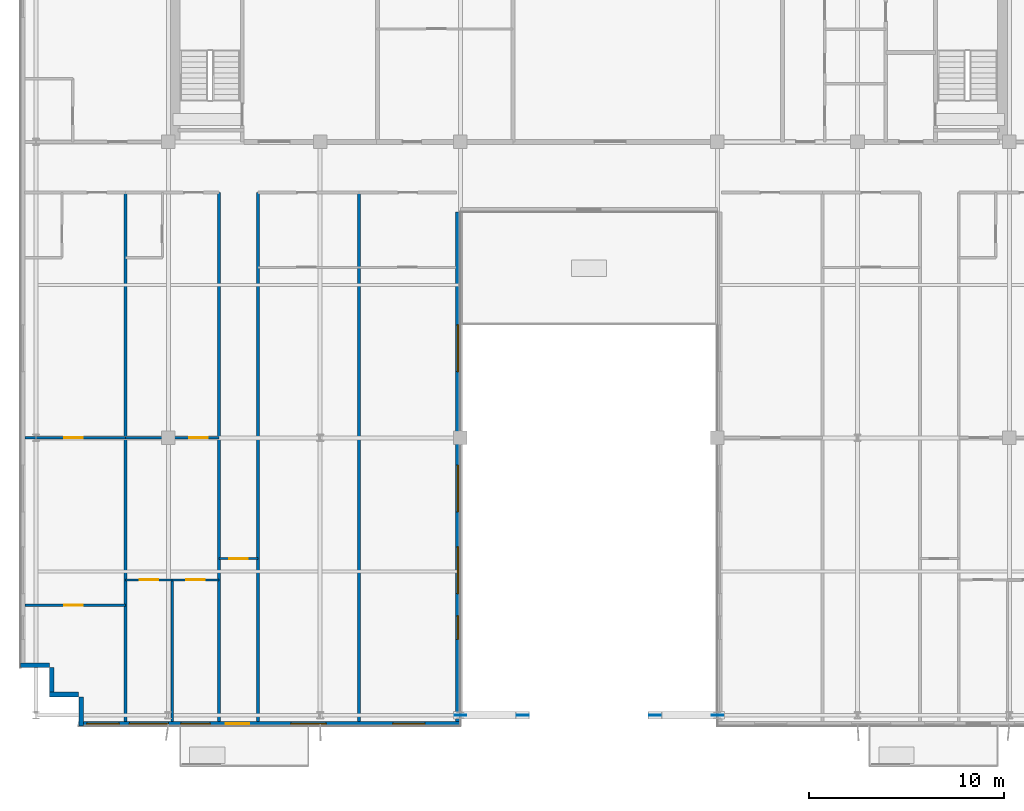
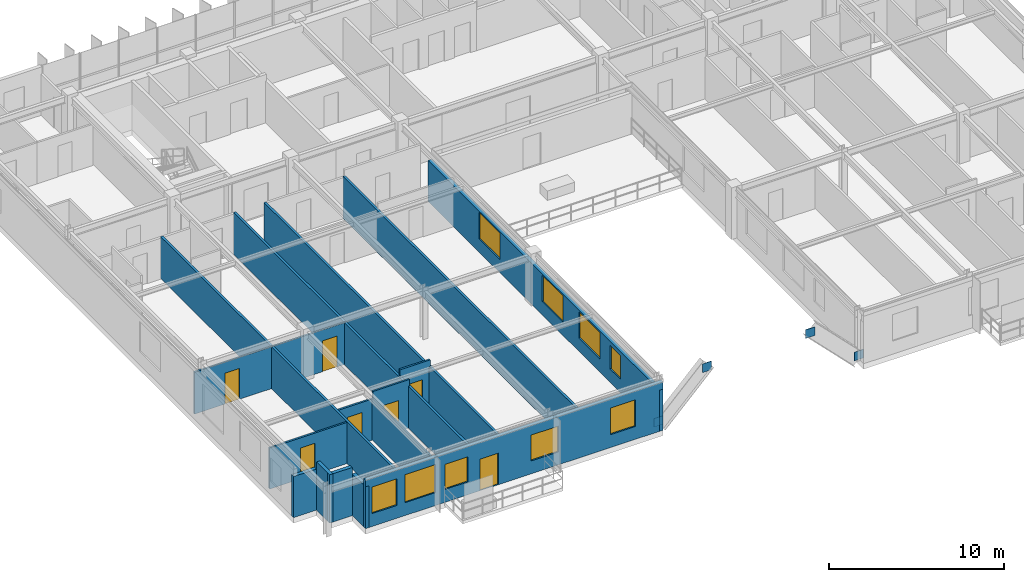
# One storey, part 16 of 23: 17 walls, 9 windows, 7 doors, 4 plates, 16 openings.
"""IFC4 building model written with IfcOpenShell, lengths in metres."""

from ifc_helpers import new_model, si_unit, direction, frame, frame_2d, origin, origin_2d, place, context, subcontext, project, spatial, rectangle, extrude, source, transform, mapped, material, layer, layer_set, type_object, element, fill, save


model = new_model("IFC4")

# Units and contexts
model_context = context("Model", 3, precision=1e-05, world=origin(), true_north=direction((0.0, 1.0)))
body_context = subcontext(model_context, "Body", "Model", "MODEL_VIEW")
ifc_project = project(units=[si_unit("LENGTHUNIT", "METRE"), si_unit("AREAUNIT", "SQUARE_METRE"), si_unit("VOLUMEUNIT", "CUBIC_METRE"), si_unit("PLANEANGLEUNIT", "RADIAN"), si_unit("MASSUNIT", "GRAM", prefix="KILO")], contexts=[model_context])

# Site, building, storey
site_placement = place(None, origin())
site = spatial("IfcSite", under=ifc_project, at=site_placement, CompositionType="ELEMENT")
building_placement = place(site_placement, origin())
building = spatial("IfcBuilding", under=site, at=building_placement, Name="Trelvane Seafront Commons", CompositionType="ELEMENT")
storey_placement = place(building_placement, frame((0.0, 0.0, 190.5)))
storey = spatial("IfcBuildingStorey", under=building, at=storey_placement, Name="L49", CompositionType="ELEMENT", Elevation=190.5)

# Plates
ifc_material_1 = material(Name="Steel SM355 (S355)", Category="steel")
ifc_layer_1 = layer(ifc_material_1, 0.031982421875, Name="STR-PLT-GUS2")
ifc_layer_set_1 = layer_set([ifc_layer_1], Name="Steel SM355 (S355)")
plate_type = type_object("IfcPlateType", Name="STR-PLT-GUS2", PredefinedType="SHEET", material=ifc_layer_set_1)
shared_shape_1 = source(origin(), body_context, "Body", "SweptSolid", [
    extrude(rectangle(XDim=0.60009765625, YDim=0.031982421875, at=origin_2d()), origin(), (0.0, 0.0, 1.0), 0.60009765625),
])
for number, where, z_axis, x_axis, name in (
    (1, (30.60009765625, 3.949951171875, -0.02001953125), (0.0, 0.0, 1.0), (1.0, 0.0, 0.0), "L49 Brace Connection Gusset Plate GP-103"),
    (2, (33.800048828125, 3.949951171875, 2.659912109375), (0.0, 0.0, 1.0), (1.0, 0.0, 0.0), "L49 Brace Connection Gusset Plate GP-104"),
    (3, (43.800048828125, 3.949951171875, -0.02001953125), (0.0, 0.0, 1.0), (1.0, 0.0, 0.0), "L49 Brace Connection Gusset Plate GP-105"),
    (4, (40.60009765625, 3.949951171875, 2.659912109375), (0.0, 0.0, 1.0), (1.0, 0.0, 0.0), "L49 Brace Connection Gusset Plate GP-106"),
):
    element("IfcPlate", number, at=place(storey_placement, frame(where, z_axis=z_axis, x_axis=x_axis)), inside=storey, type_object=plate_type, Name=name, PredefinedType="SHEET", context=body_context, shape_type="MappedRepresentation", body=[
        mapped(shared_shape_1, transform((0.0, 0.0, 0.0), x_axis=(1.0, 0.0, 0.0), y_axis=(0.0, 1.0, 0.0), z_axis=(0.0, 0.0, 1.0), scale=1.0)),
    ])

# Walls
ifc_material_2 = material(Name="Precast concrete C40/50", Category="concrete")
ifc_layer_2 = layer(ifc_material_2, 0.239990234375, Name="ARCH-WALL-EXT240")
ifc_layer_set_2 = layer_set([ifc_layer_2], Name="Precast concrete C40/50")
wall_type_1 = type_object("IfcWallType", Name="ARCH-WALL-EXT240", PredefinedType="SOLIDWALL", material=ifc_layer_set_2)
for number, where, z_axis, x_axis, name in (
    (5, (11.0, 5.02001953125, 0.0), (0.0, 0.0, 1.0), (-1.0, 0.0, 0.0), "EW-L49-00959"),
    (6, (9.6201171875, 4.89990234375, 0.0), (0.0, 0.0, 1.0), (0.0, 1.0, 0.0), "EW-L49-00960"),
):
    element("IfcWall", number, at=place(storey_placement, frame(where, z_axis=z_axis, x_axis=x_axis)), inside=storey, type_object=wall_type_1, Name=name, PredefinedType="SOLIDWALL", context=body_context, shape_type="SweptSolid", body=[
        extrude(rectangle(XDim=1.5, YDim=0.239990234375, at=frame_2d((0.75, 0.0))), origin(), (0.0, 0.0, 1.0), 3.360107421875),
    ])
wall_1_placement = place(storey_placement, frame((9.5, 6.52001953125, 0.0), z_axis=(0.0, 0.0, 1.0), x_axis=(-1.0, 0.0, 0.0)))
element("IfcWall", 7, at=wall_1_placement, inside=storey, type_object=wall_type_1, Name="EW-L49-00961", PredefinedType="SOLIDWALL", context=body_context, shape_type="SweptSolid", body=[
    extrude(rectangle(XDim=1.5, YDim=0.239990234375, at=frame_2d((0.75, 0.0))), origin(), (0.0, 0.0, 1.0), 2.860107421875),
])

# Wall, openings, windows
wall_2_placement = place(storey_placement, frame((30.47998046875, 29.800048828125, 0.0), z_axis=(0.0, 0.0, 1.0), x_axis=(0.0, -1.0, 0.0)))
wall_2 = element("IfcWall", 8, at=wall_2_placement, inside=storey, type_object=wall_type_1, Name="EW-L49-00979", PredefinedType="SOLIDWALL", context=body_context, shape_type="SweptSolid", body=[
    extrude(rectangle(XDim=26.400146484375, YDim=0.239990234375, at=frame_2d((13.2001953125, 0.0))), origin(), (0.0, 0.0, 1.0), 2.860107421875),
])
opening_1_placement = place(wall_2_placement, frame((20.75, 0.0, 0.919921875)))
opening_1 = element("IfcOpeningElement", 9, at=opening_1_placement, cuts=wall_2, Name="Opening W05", PredefinedType="OPENING", context=body_context, shape_type="SweptSolid", body=[
    extrude(rectangle(XDim=1.199951171875, YDim=1.64990234375, at=frame_2d((0.60009765625, 0.824951171875))), frame((0.0, 0.1298828125, 0.0), z_axis=(0.0, -1.0, 0.0), x_axis=(1.0, 0.0, 0.0)), (0.0, 0.0, 1.0), 0.260009765625),
])
opening_2_placement = place(wall_2_placement, frame((17.199951171875, 0.0, 0.919921875)))
opening_2 = element("IfcOpeningElement", 10, at=opening_2_placement, cuts=wall_2, Name="Opening W08", PredefinedType="OPENING", context=body_context, shape_type="SweptSolid", body=[
    extrude(rectangle(XDim=2.39990234375, YDim=1.840087890625, at=frame_2d((1.199951171875, 0.919921875))), frame((0.0, 0.1298828125, 0.0), z_axis=(0.0, -1.0, 0.0), x_axis=(1.0, 0.0, 0.0)), (0.0, 0.0, 1.0), 0.260009765625),
])
opening_3_placement = place(wall_2_placement, frame((13.0, 0.0, 0.919921875)))
opening_3 = element("IfcOpeningElement", 11, at=opening_3_placement, cuts=wall_2, Name="Opening W08", PredefinedType="OPENING", context=body_context, shape_type="SweptSolid", body=[
    extrude(rectangle(XDim=2.39990234375, YDim=1.840087890625, at=frame_2d((1.199951171875, 0.919921875))), frame((0.0, 0.1298828125, 0.0), z_axis=(0.0, -1.0, 0.0), x_axis=(1.0, 0.0, 0.0)), (0.0, 0.0, 1.0), 0.260009765625),
])
opening_4_placement = place(wall_2_placement, frame((5.800048828125, 0.0, 0.919921875)))
opening_4 = element("IfcOpeningElement", 12, at=opening_4_placement, cuts=wall_2, Name="Opening W08", PredefinedType="OPENING", context=body_context, shape_type="SweptSolid", body=[
    extrude(rectangle(XDim=2.39990234375, YDim=1.840087890625, at=frame_2d((1.199951171875, 0.919921875))), frame((0.0, 0.1298828125, 0.0), z_axis=(0.0, -1.0, 0.0), x_axis=(1.0, 0.0, 0.0)), (0.0, 0.0, 1.0), 0.260009765625),
])
ifc_material_3 = material(Name="Low-E coastal double glazing", Category="glass")
window_type_1 = type_object("IfcWindowType", Name="ARCH-WIN-W05", PartitioningType="SINGLE_PANEL", PredefinedType="WINDOW", material=ifc_material_3)
shared_shape_2 = source(origin(), body_context, "Body", "SweptSolid", [
    extrude(rectangle(XDim=1.199951171875, YDim=1.64990234375, at=frame_2d((0.60009765625, 0.824951171875))), frame((0.0, 0.030029296875, 0.0), z_axis=(0.0, -1.0, 0.0), x_axis=(1.0, 0.0, 0.0)), (0.0, 0.0, 1.0), 0.06005859375),
])
window_1_placement = place(opening_1_placement, origin())
window_1 = element("IfcWindow", 13, at=window_1_placement, inside=storey, type_object=window_type_1, Name="WIN-L49-EW-01158", OverallHeight=1.64990234375, OverallWidth=1.199951171875, PartitioningType="SINGLE_PANEL", PredefinedType="WINDOW", context=body_context, shape_type="MappedRepresentation", body=[
    mapped(shared_shape_2, transform((0.0, 0.0, 0.0), x_axis=(1.0, 0.0, 0.0), y_axis=(0.0, 1.0, 0.0), z_axis=(0.0, 0.0, 1.0), scale=1.0)),
])
fill(opening_1, window_1)
window_type_2 = type_object("IfcWindowType", Name="ARCH-WIN-W08", PartitioningType="SINGLE_PANEL", PredefinedType="WINDOW", material=ifc_material_3)
shared_shape_3 = source(origin(), body_context, "Body", "SweptSolid", [
    extrude(rectangle(XDim=2.39990234375, YDim=1.840087890625, at=frame_2d((1.199951171875, 0.919921875))), frame((0.0, 0.030029296875, 0.0), z_axis=(0.0, -1.0, 0.0), x_axis=(1.0, 0.0, 0.0)), (0.0, 0.0, 1.0), 0.06005859375),
])
window_2_placement = place(opening_2_placement, origin())
window_2 = element("IfcWindow", 14, at=window_2_placement, inside=storey, type_object=window_type_2, Name="WIN-L49-EW-01159", OverallHeight=1.840087890625, OverallWidth=2.39990234375, PartitioningType="SINGLE_PANEL", PredefinedType="WINDOW", context=body_context, shape_type="MappedRepresentation", body=[
    mapped(shared_shape_3, transform((0.0, 0.0, 0.0), x_axis=(1.0, 0.0, 0.0), y_axis=(0.0, 1.0, 0.0), z_axis=(0.0, 0.0, 1.0), scale=1.0)),
])
fill(opening_2, window_2)
window_3_placement = place(opening_3_placement, origin())
window_3 = element("IfcWindow", 15, at=window_3_placement, inside=storey, type_object=window_type_2, Name="WIN-L49-EW-01160", OverallHeight=1.840087890625, OverallWidth=2.39990234375, PartitioningType="SINGLE_PANEL", PredefinedType="WINDOW", context=body_context, shape_type="MappedRepresentation", body=[
    mapped(shared_shape_3, transform((0.0, 0.0, 0.0), x_axis=(1.0, 0.0, 0.0), y_axis=(0.0, 1.0, 0.0), z_axis=(0.0, 0.0, 1.0), scale=1.0)),
])
fill(opening_3, window_3)
window_4_placement = place(opening_4_placement, origin())
window_4 = element("IfcWindow", 16, at=window_4_placement, inside=storey, type_object=window_type_2, Name="WIN-L49-EW-01161", OverallHeight=1.840087890625, OverallWidth=2.39990234375, PartitioningType="SINGLE_PANEL", PredefinedType="WINDOW", context=body_context, shape_type="MappedRepresentation", body=[
    mapped(shared_shape_3, transform((0.0, 0.0, 0.0), x_axis=(1.0, 0.0, 0.0), y_axis=(0.0, 1.0, 0.0), z_axis=(0.0, 0.0, 1.0), scale=1.0)),
])
fill(opening_4, window_4)

# Wall, openings, door, windows
wall_3_placement = place(storey_placement, frame((30.60009765625, 3.52001953125, 0.0), z_axis=(0.0, 0.0, 1.0), x_axis=(-1.0, 0.0, 0.0)))
wall_3 = element("IfcWall", 17, at=wall_3_placement, inside=storey, type_object=wall_type_1, Name="EW-L49-00980", PredefinedType="SOLIDWALL", context=body_context, shape_type="SweptSolid", body=[
    extrude(rectangle(XDim=19.60009765625, YDim=0.239990234375, at=frame_2d((9.800048828125, 0.0))), origin(), (0.0, 0.0, 1.0), 3.360107421875),
])
opening_5_placement = place(wall_3_placement, frame((1.820068359375, 0.0, 0.89990234375)))
opening_5 = element("IfcOpeningElement", 18, at=opening_5_placement, cuts=wall_3, Name="Opening W07", PredefinedType="OPENING", context=body_context, shape_type="SweptSolid", body=[
    extrude(rectangle(XDim=1.64990234375, YDim=1.85009765625, at=frame_2d((0.824951171875, 0.925048828125))), frame((0.0, 0.1298828125, 0.0), z_axis=(0.0, -1.0, 0.0), x_axis=(1.0, 0.0, 0.0)), (0.0, 0.0, 1.0), 0.260009765625),
])
opening_6_placement = place(wall_3_placement, frame((6.89990234375, 0.0, 0.89990234375)))
opening_6 = element("IfcOpeningElement", 19, at=opening_6_placement, cuts=wall_3, Name="Opening W01", PredefinedType="OPENING", context=body_context, shape_type="SweptSolid", body=[
    extrude(rectangle(XDim=1.800048828125, YDim=1.800048828125, at=frame_2d((0.89990234375, 0.89990234375))), frame((0.0, 0.1298828125, 0.0), z_axis=(0.0, -1.0, 0.0), x_axis=(1.0, 0.0, 0.0)), (0.0, 0.0, 1.0), 0.260009765625),
])
opening_7_placement = place(wall_3_placement, frame((10.85498046875, 0.0, 0.0)))
opening_7 = element("IfcOpeningElement", 20, at=opening_7_placement, cuts=wall_3, Name="Opening BD-L49-109", PredefinedType="OPENING", context=body_context, shape_type="SweptSolid", body=[
    extrude(rectangle(XDim=1.199951171875, YDim=2.199951171875, at=frame_2d((0.60009765625, 1.10009765625))), frame((0.0, 0.1298828125, 0.0), z_axis=(0.0, -1.0, 0.0), x_axis=(1.0, 0.0, 0.0)), (0.0, 0.0, 1.0), 0.260009765625),
])
opening_8_placement = place(wall_3_placement, frame((12.85009765625, 0.0, 0.89990234375)))
opening_8 = element("IfcOpeningElement", 21, at=opening_8_placement, cuts=wall_3, Name="Opening W03", PredefinedType="OPENING", context=body_context, shape_type="SweptSolid", body=[
    extrude(rectangle(XDim=1.5, YDim=1.75, at=frame_2d((0.75, 0.875))), frame((0.0, 0.1298828125, 0.0), z_axis=(0.0, -1.0, 0.0), x_axis=(1.0, 0.0, 0.0)), (0.0, 0.0, 1.0), 0.260009765625),
])
opening_9_placement = place(wall_3_placement, frame((15.0, 0.0, 0.89990234375)))
opening_9 = element("IfcOpeningElement", 22, at=opening_9_placement, cuts=wall_3, Name="Opening W06", PredefinedType="OPENING", context=body_context, shape_type="SweptSolid", body=[
    extrude(rectangle(XDim=2.0, YDim=1.949951171875, at=frame_2d((1.0, 0.97509765625))), frame((0.0, 0.1298828125, 0.0), z_axis=(0.0, -1.0, 0.0), x_axis=(1.0, 0.0, 0.0)), (0.0, 0.0, 1.0), 0.260009765625),
])
opening_10_placement = place(wall_3_placement, frame((17.530029296875, 0.0, 0.89990234375)))
opening_10 = element("IfcOpeningElement", 23, at=opening_10_placement, cuts=wall_3, Name="Opening W07", PredefinedType="OPENING", context=body_context, shape_type="SweptSolid", body=[
    extrude(rectangle(XDim=1.64990234375, YDim=1.85009765625, at=frame_2d((0.824951171875, 0.925048828125))), frame((0.0, 0.1298828125, 0.0), z_axis=(0.0, -1.0, 0.0), x_axis=(1.0, 0.0, 0.0)), (0.0, 0.0, 1.0), 0.260009765625),
])
ifc_material_4 = material(Name="Powder-coated aluminium frame", Category="aluminium")
door_type_1 = type_object("IfcDoorType", Name="ARCH-DR-BAL1200", OperationType="NOTDEFINED", PredefinedType="DOOR", material=ifc_material_4)
shared_shape_4 = source(origin(), body_context, "Body", "SweptSolid", [
    extrude(rectangle(XDim=1.199951171875, YDim=2.199951171875, at=frame_2d((0.60009765625, 1.10009765625))), frame((0.0, 0.02490234375, 0.0), z_axis=(0.0, -1.0, 0.0), x_axis=(1.0, 0.0, 0.0)), (0.0, 0.0, 1.0), 0.050048828125),
])
door_1_placement = place(opening_7_placement, origin())
door_1 = element("IfcDoor", 24, at=door_1_placement, inside=storey, type_object=door_type_1, Name="L49 Balcony Terrace Access Door", OperationType="SINGLE_SWING_LEFT", OverallHeight=2.199951171875, OverallWidth=1.199951171875, PredefinedType="DOOR", context=body_context, shape_type="MappedRepresentation", body=[
    mapped(shared_shape_4, transform((0.0, 0.0, 0.0), x_axis=(1.0, 0.0, 0.0), y_axis=(0.0, 1.0, 0.0), z_axis=(0.0, 0.0, 1.0), scale=1.0)),
])
fill(opening_7, door_1)
window_type_3 = type_object("IfcWindowType", Name="ARCH-WIN-W03", PartitioningType="SINGLE_PANEL", PredefinedType="WINDOW", material=ifc_material_3)
shared_shape_5 = source(origin(), body_context, "Body", "SweptSolid", [
    extrude(rectangle(XDim=1.5, YDim=1.75, at=frame_2d((0.75, 0.875))), frame((0.0, 0.030029296875, 0.0), z_axis=(0.0, -1.0, 0.0), x_axis=(1.0, 0.0, 0.0)), (0.0, 0.0, 1.0), 0.06005859375),
])
window_5_placement = place(opening_8_placement, origin())
window_5 = element("IfcWindow", 25, at=window_5_placement, inside=storey, type_object=window_type_3, Name="WIN-L49-01164", OverallHeight=1.75, OverallWidth=1.5, PartitioningType="SINGLE_PANEL", PredefinedType="WINDOW", context=body_context, shape_type="MappedRepresentation", body=[
    mapped(shared_shape_5, transform((0.0, 0.0, 0.0), x_axis=(1.0, 0.0, 0.0), y_axis=(0.0, 1.0, 0.0), z_axis=(0.0, 0.0, 1.0), scale=1.0)),
])
fill(opening_8, window_5)
window_type_4 = type_object("IfcWindowType", Name="ARCH-WIN-W06", PartitioningType="SINGLE_PANEL", PredefinedType="WINDOW", material=ifc_material_3)
shared_shape_6 = source(origin(), body_context, "Body", "SweptSolid", [
    extrude(rectangle(XDim=2.0, YDim=1.949951171875, at=frame_2d((1.0, 0.97509765625))), frame((0.0, 0.030029296875, 0.0), z_axis=(0.0, -1.0, 0.0), x_axis=(1.0, 0.0, 0.0)), (0.0, 0.0, 1.0), 0.06005859375),
])
window_6_placement = place(opening_9_placement, origin())
window_6 = element("IfcWindow", 26, at=window_6_placement, inside=storey, type_object=window_type_4, Name="WIN-L49-01165", OverallHeight=1.949951171875, OverallWidth=2.0, PartitioningType="SINGLE_PANEL", PredefinedType="WINDOW", context=body_context, shape_type="MappedRepresentation", body=[
    mapped(shared_shape_6, transform((0.0, 0.0, 0.0), x_axis=(1.0, 0.0, 0.0), y_axis=(0.0, 1.0, 0.0), z_axis=(0.0, 0.0, 1.0), scale=1.0)),
])
fill(opening_9, window_6)
window_type_5 = type_object("IfcWindowType", Name="ARCH-WIN-W01", PartitioningType="SINGLE_PANEL", PredefinedType="WINDOW", material=ifc_material_3)
shared_shape_7 = source(origin(), body_context, "Body", "SweptSolid", [
    extrude(rectangle(XDim=1.800048828125, YDim=1.800048828125, at=frame_2d((0.89990234375, 0.89990234375))), frame((0.0, 0.030029296875, 0.0), z_axis=(0.0, -1.0, 0.0), x_axis=(1.0, 0.0, 0.0)), (0.0, 0.0, 1.0), 0.06005859375),
])
window_7_placement = place(opening_6_placement, origin())
window_7 = element("IfcWindow", 27, at=window_7_placement, inside=storey, type_object=window_type_5, Name="WIN-L49-01163", OverallHeight=1.800048828125, OverallWidth=1.800048828125, PartitioningType="SINGLE_PANEL", PredefinedType="WINDOW", context=body_context, shape_type="MappedRepresentation", body=[
    mapped(shared_shape_7, transform((0.0, 0.0, 0.0), x_axis=(1.0, 0.0, 0.0), y_axis=(0.0, 1.0, 0.0), z_axis=(0.0, 0.0, 1.0), scale=1.0)),
])
fill(opening_6, window_7)
window_type_6 = type_object("IfcWindowType", Name="ARCH-WIN-W07", PartitioningType="SINGLE_PANEL", PredefinedType="WINDOW", material=ifc_material_3)
shared_shape_8 = source(origin(), body_context, "Body", "SweptSolid", [
    extrude(rectangle(XDim=1.64990234375, YDim=1.85009765625, at=frame_2d((0.824951171875, 0.925048828125))), frame((0.0, 0.030029296875, 0.0), z_axis=(0.0, -1.0, 0.0), x_axis=(1.0, 0.0, 0.0)), (0.0, 0.0, 1.0), 0.06005859375),
])
window_8_placement = place(opening_5_placement, origin())
window_8 = element("IfcWindow", 28, at=window_8_placement, inside=storey, type_object=window_type_6, Name="WIN-L49-01162", OverallHeight=1.85009765625, OverallWidth=1.64990234375, PartitioningType="SINGLE_PANEL", PredefinedType="WINDOW", context=body_context, shape_type="MappedRepresentation", body=[
    mapped(shared_shape_8, transform((0.0, 0.0, 0.0), x_axis=(1.0, 0.0, 0.0), y_axis=(0.0, 1.0, 0.0), z_axis=(0.0, 0.0, 1.0), scale=1.0)),
])
fill(opening_5, window_8)
window_9_placement = place(opening_10_placement, origin())
window_9 = element("IfcWindow", 29, at=window_9_placement, inside=storey, type_object=window_type_6, Name="WIN-L49-01166", OverallHeight=1.85009765625, OverallWidth=1.64990234375, PartitioningType="SINGLE_PANEL", PredefinedType="WINDOW", context=body_context, shape_type="MappedRepresentation", body=[
    mapped(shared_shape_8, transform((0.0, 0.0, 0.0), x_axis=(1.0, 0.0, 0.0), y_axis=(0.0, 1.0, 0.0), z_axis=(0.0, 0.0, 1.0), scale=1.0)),
])
fill(opening_10, window_9)

# Wall
wall_4_placement = place(storey_placement, frame((11.1201171875, 3.39990234375, 0.0), z_axis=(0.0, 0.0, 1.0), x_axis=(0.0, 1.0, 0.0)))
element("IfcWall", 30, at=wall_4_placement, inside=storey, type_object=wall_type_1, Name="EW-L49-00981", PredefinedType="SOLIDWALL", context=body_context, shape_type="SweptSolid", body=[
    extrude(rectangle(XDim=1.5, YDim=0.239990234375, at=frame_2d((0.75, 0.0))), origin(), (0.0, 0.0, 1.0), 2.909912109375),
])

# Wall, opening, door
ifc_material_5 = material(Name="Gypsum Drywall Acoustic Partition")
ifc_layer_3 = layer(ifc_material_5, 0.1201171875, Name="ARCH-WALL-PART120")
ifc_layer_set_3 = layer_set([ifc_layer_3], Name="Gypsum Drywall Acoustic Partition")
wall_type_2 = type_object("IfcWallType", Name="ARCH-WALL-PART120", PredefinedType="PARTITIONING", material=ifc_layer_set_3)
wall_5_placement = place(storey_placement, frame((8.239990234375, 18.199951171875, 0.0), z_axis=(0.0, 0.0, 1.0), x_axis=(1.0, 0.0, 0.0)))
wall_5 = element("IfcWall", 31, at=wall_5_placement, inside=storey, type_object=wall_type_2, Name="W-L49-U1-KL-051", PredefinedType="PARTITIONING", context=body_context, shape_type="SweptSolid", body=[
    extrude(rectangle(XDim=5.159912109375, YDim=0.1201171875, at=frame_2d((2.580078125, 0.0))), origin(), (0.0, 0.0, 1.0), 2.909912109375),
])
opening_11_placement = place(wall_5_placement, frame((2.013916015625, 0.0, 0.0)))
opening_11 = element("IfcOpeningElement", 32, at=opening_11_placement, cuts=wall_5, Name="Opening D-L49-29", PredefinedType="OPENING", context=body_context, shape_type="SweptSolid", body=[
    extrude(rectangle(XDim=0.949951171875, YDim=2.14990234375, at=frame_2d((0.47509765625, 1.074951171875))), frame((0.0, 0.070068359375, 0.0), z_axis=(0.0, -1.0, 0.0), x_axis=(1.0, 0.0, 0.0)), (0.0, 0.0, 1.0), 0.14013671875),
])
ifc_material_6 = material(Name="Acoustic timber door leaf", Category="wood")
door_type_2 = type_object("IfcDoorType", Name="ARCH-DR-INT950", OperationType="NOTDEFINED", PredefinedType="DOOR", material=ifc_material_6)
shared_shape_9 = source(origin(), body_context, "Body", "SweptSolid", [
    extrude(rectangle(XDim=0.949951171875, YDim=2.14990234375, at=frame_2d((0.47509765625, 1.074951171875))), frame((0.0, 0.02490234375, 0.0), z_axis=(0.0, -1.0, 0.0), x_axis=(1.0, 0.0, 0.0)), (0.0, 0.0, 1.0), 0.050048828125),
])
door_2_placement = place(opening_11_placement, origin())
door_2 = element("IfcDoor", 33, at=door_2_placement, inside=storey, type_object=door_type_2, Name="L49 Door 29", OperationType="SINGLE_SWING_LEFT", OverallHeight=2.14990234375, OverallWidth=0.949951171875, PredefinedType="DOOR", context=body_context, shape_type="MappedRepresentation", body=[
    mapped(shared_shape_9, transform((0.0, 0.0, 0.0), x_axis=(1.0, 0.0, 0.0), y_axis=(0.0, 1.0, 0.0), z_axis=(0.0, 0.0, 1.0), scale=1.0)),
])
fill(opening_11, door_2)

wall_6_placement = place(storey_placement, frame((8.239990234375, 9.60009765625, 0.0), z_axis=(0.0, 0.0, 1.0), x_axis=(1.0, 0.0, 0.0)))
wall_6 = element("IfcWall", 34, at=wall_6_placement, inside=storey, type_object=wall_type_2, Name="W-L49-U1-YM-1-055", PredefinedType="PARTITIONING", context=body_context, shape_type="SweptSolid", body=[
    extrude(rectangle(XDim=5.159912109375, YDim=0.1201171875, at=frame_2d((2.580078125, 0.0))), origin(), (0.0, 0.0, 1.0), 2.860107421875),
])
opening_12_placement = place(wall_6_placement, frame((2.013916015625, 0.0, 0.0)))
opening_12 = element("IfcOpeningElement", 35, at=opening_12_placement, cuts=wall_6, Name="Opening D-L49-32", PredefinedType="OPENING", context=body_context, shape_type="SweptSolid", body=[
    extrude(rectangle(XDim=0.949951171875, YDim=2.14990234375, at=frame_2d((0.47509765625, 1.074951171875))), frame((0.0, 0.070068359375, 0.0), z_axis=(0.0, -1.0, 0.0), x_axis=(1.0, 0.0, 0.0)), (0.0, 0.0, 1.0), 0.14013671875),
])
door_3_placement = place(opening_12_placement, origin())
door_3 = element("IfcDoor", 36, at=door_3_placement, inside=storey, type_object=door_type_2, Name="L49 Door 32", OperationType="SINGLE_SWING_RIGHT", OverallHeight=2.14990234375, OverallWidth=0.949951171875, PredefinedType="DOOR", context=body_context, shape_type="MappedRepresentation", body=[
    mapped(shared_shape_9, transform((0.0, 0.0, 0.0), x_axis=(1.0, 0.0, 0.0), y_axis=(0.0, 1.0, 0.0), z_axis=(0.0, 0.0, 1.0), scale=1.0)),
])
fill(opening_12, door_3)

wall_7_placement = place(storey_placement, frame((13.39990234375, 18.199951171875, 0.0), z_axis=(0.0, 0.0, 1.0), x_axis=(1.0, 0.0, 0.0)))
wall_7 = element("IfcWall", 37, at=wall_7_placement, inside=storey, type_object=wall_type_2, Name="W-L49-U2-KL-056", PredefinedType="PARTITIONING", context=body_context, shape_type="SweptSolid", body=[
    extrude(rectangle(XDim=4.800048828125, YDim=0.1201171875, at=frame_2d((2.39990234375, 0.0))), origin(), (0.0, 0.0, 1.0), 2.909912109375),
])
opening_13_placement = place(wall_7_placement, frame((3.2880859375, 0.0, 0.0)))
opening_13 = element("IfcOpeningElement", 38, at=opening_13_placement, cuts=wall_7, Name="Opening D-L49-33", PredefinedType="OPENING", context=body_context, shape_type="SweptSolid", body=[
    extrude(rectangle(XDim=0.949951171875, YDim=2.14990234375, at=frame_2d((0.47509765625, 1.074951171875))), frame((0.0, 0.070068359375, 0.0), z_axis=(0.0, -1.0, 0.0), x_axis=(1.0, 0.0, 0.0)), (0.0, 0.0, 1.0), 0.14013671875),
])
door_4_placement = place(opening_13_placement, origin())
door_4 = element("IfcDoor", 39, at=door_4_placement, inside=storey, type_object=door_type_2, Name="L49 Door 33", OperationType="SINGLE_SWING_LEFT", OverallHeight=2.14990234375, OverallWidth=0.949951171875, PredefinedType="DOOR", context=body_context, shape_type="MappedRepresentation", body=[
    mapped(shared_shape_9, transform((0.0, 0.0, 0.0), x_axis=(1.0, 0.0, 0.0), y_axis=(0.0, 1.0, 0.0), z_axis=(0.0, 0.0, 1.0), scale=1.0)),
])
fill(opening_13, door_4)

wall_8_placement = place(storey_placement, frame((13.39990234375, 10.89990234375, 0.0), z_axis=(0.0, 0.0, 1.0), x_axis=(1.0, 0.0, 0.0)))
wall_8 = element("IfcWall", 40, at=wall_8_placement, inside=storey, type_object=wall_type_2, Name="W-L49-U2-YM-1-060", PredefinedType="PARTITIONING", context=body_context, shape_type="SweptSolid", body=[
    extrude(rectangle(XDim=2.400146484375, YDim=0.1201171875, at=frame_2d((1.2001953125, 0.0))), origin(), (0.0, 0.0, 1.0), 2.860107421875),
])
opening_14_placement = place(wall_8_placement, frame((0.72509765625, 0.0, 0.0)))
opening_14 = element("IfcOpeningElement", 41, at=opening_14_placement, cuts=wall_8, Name="Opening D-L49-36", PredefinedType="OPENING", context=body_context, shape_type="SweptSolid", body=[
    extrude(rectangle(XDim=0.949951171875, YDim=2.14990234375, at=frame_2d((0.47509765625, 1.074951171875))), frame((0.0, 0.070068359375, 0.0), z_axis=(0.0, -1.0, 0.0), x_axis=(1.0, 0.0, 0.0)), (0.0, 0.0, 1.0), 0.14013671875),
])
door_5_placement = place(opening_14_placement, origin())
door_5 = element("IfcDoor", 42, at=door_5_placement, inside=storey, type_object=door_type_2, Name="L49 Door 36", OperationType="SINGLE_SWING_RIGHT", OverallHeight=2.14990234375, OverallWidth=0.949951171875, PredefinedType="DOOR", context=body_context, shape_type="MappedRepresentation", body=[
    mapped(shared_shape_9, transform((0.0, 0.0, 0.0), x_axis=(1.0, 0.0, 0.0), y_axis=(0.0, 1.0, 0.0), z_axis=(0.0, 0.0, 1.0), scale=1.0)),
])
fill(opening_14, door_5)

wall_9_placement = place(storey_placement, frame((15.800048828125, 10.89990234375, 0.0), z_axis=(0.0, 0.0, 1.0), x_axis=(1.0, 0.0, 0.0)))
wall_9 = element("IfcWall", 43, at=wall_9_placement, inside=storey, type_object=wall_type_2, Name="W-L49-U2-YM-2-061", PredefinedType="PARTITIONING", context=body_context, shape_type="SweptSolid", body=[
    extrude(rectangle(XDim=2.39990234375, YDim=0.1201171875, at=frame_2d((1.199951171875, 0.0))), origin(), (0.0, 0.0, 1.0), 3.360107421875),
])
opening_15_placement = place(wall_9_placement, frame((0.72509765625, 0.0, 0.0)))
opening_15 = element("IfcOpeningElement", 44, at=opening_15_placement, cuts=wall_9, Name="Opening D-L49-37", PredefinedType="OPENING", context=body_context, shape_type="SweptSolid", body=[
    extrude(rectangle(XDim=0.949951171875, YDim=2.14990234375, at=frame_2d((0.47509765625, 1.074951171875))), frame((0.0, 0.070068359375, 0.0), z_axis=(0.0, -1.0, 0.0), x_axis=(1.0, 0.0, 0.0)), (0.0, 0.0, 1.0), 0.14013671875),
])
door_6_placement = place(opening_15_placement, origin())
door_6 = element("IfcDoor", 45, at=door_6_placement, inside=storey, type_object=door_type_2, Name="L49 Door 37", OperationType="SINGLE_SWING_LEFT", OverallHeight=2.14990234375, OverallWidth=0.949951171875, PredefinedType="DOOR", context=body_context, shape_type="MappedRepresentation", body=[
    mapped(shared_shape_9, transform((0.0, 0.0, 0.0), x_axis=(1.0, 0.0, 0.0), y_axis=(0.0, 1.0, 0.0), z_axis=(0.0, 0.0, 1.0), scale=1.0)),
])
fill(opening_15, door_6)

# Wall
wall_10_placement = place(storey_placement, frame((15.800048828125, 3.625, 0.0), z_axis=(0.0, 0.0, 1.0), x_axis=(0.0, 1.0, 0.0)))
element("IfcWall", 46, at=wall_10_placement, inside=storey, type_object=wall_type_2, Name="W-L49-U2-BDV-1-062", PredefinedType="PARTITIONING", context=body_context, shape_type="SweptSolid", body=[
    extrude(rectangle(XDim=7.27490234375, YDim=0.1201171875, at=frame_2d((3.637451171875, 0.0))), origin(), (0.0, 0.0, 1.0), 2.909912109375),
])

# Wall, opening, door
wall_11_placement = place(storey_placement, frame((18.199951171875, 12.0, 0.0), z_axis=(0.0, 0.0, 1.0), x_axis=(1.0, 0.0, 0.0)))
wall_11 = element("IfcWall", 47, at=wall_11_placement, inside=storey, type_object=wall_type_2, Name="W-L49-ARM-END-3-065", PredefinedType="PARTITIONING", context=body_context, shape_type="SweptSolid", body=[
    extrude(rectangle(XDim=2.0, YDim=0.1201171875, at=frame_2d((1.0, 0.0))), origin(), (0.0, 0.0, 1.0), 3.360107421875),
])
opening_16_placement = place(wall_11_placement, frame((0.52001953125, 0.0, 0.0)))
opening_16 = element("IfcOpeningElement", 48, at=opening_16_placement, cuts=wall_11, Name="Opening D-L49-38", PredefinedType="OPENING", context=body_context, shape_type="SweptSolid", body=[
    extrude(rectangle(XDim=0.949951171875, YDim=2.14990234375, at=frame_2d((0.47509765625, 1.074951171875))), frame((0.0, 0.070068359375, 0.0), z_axis=(0.0, -1.0, 0.0), x_axis=(1.0, 0.0, 0.0)), (0.0, 0.0, 1.0), 0.14013671875),
])
door_7_placement = place(opening_16_placement, origin())
door_7 = element("IfcDoor", 49, at=door_7_placement, inside=storey, type_object=door_type_2, Name="L49 Door 38", OperationType="SINGLE_SWING_RIGHT", OverallHeight=2.14990234375, OverallWidth=0.949951171875, PredefinedType="DOOR", context=body_context, shape_type="MappedRepresentation", body=[
    mapped(shared_shape_9, transform((0.0, 0.0, 0.0), x_axis=(1.0, 0.0, 0.0), y_axis=(0.0, 1.0, 0.0), z_axis=(0.0, 0.0, 1.0), scale=1.0)),
])
fill(opening_16, door_7)

# Walls
ifc_layer_4 = layer(ifc_material_5, 0.14990234375, Name="ARCH-WALL-PART150")
ifc_layer_set_4 = layer_set([ifc_layer_4], Name="Gypsum Drywall Acoustic Partition")
wall_type_3 = type_object("IfcWallType", Name="ARCH-WALL-PART150", PredefinedType="PARTITIONING", material=ifc_layer_set_4)
for number, where, z_axis, x_axis, name in (
    (50, (13.39990234375, 3.625, 0.0), (0.0, 0.0, 1.0), (0.0, 1.0, 0.0), "W-L49-PW-1-047"),
    (51, (25.39990234375, 3.625, 0.0), (0.0, 0.0, 1.0), (0.0, 1.0, 0.0), "W-L49-PW-4-048"),
    (52, (18.199951171875, 3.625, 0.0), (0.0, 0.0, 1.0), (0.0, 1.0, 0.0), "W-L49-ARM-W-3-063"),
    (53, (20.199951171875, 3.625, 0.0), (0.0, 0.0, 1.0), (0.0, 1.0, 0.0), "W-L49-ARM-E-3-064"),
):
    element("IfcWall", number, at=place(storey_placement, frame(where, z_axis=z_axis, x_axis=x_axis)), inside=storey, type_object=wall_type_3, Name=name, PredefinedType="PARTITIONING", context=body_context, shape_type="SweptSolid", body=[
        extrude(rectangle(XDim=27.175048828125, YDim=0.14990234375, at=frame_2d((13.58740234375, 0.0))), origin(), (0.0, 0.0, 1.0), 2.909912109375),
    ])

save(model, "model.ifc")
